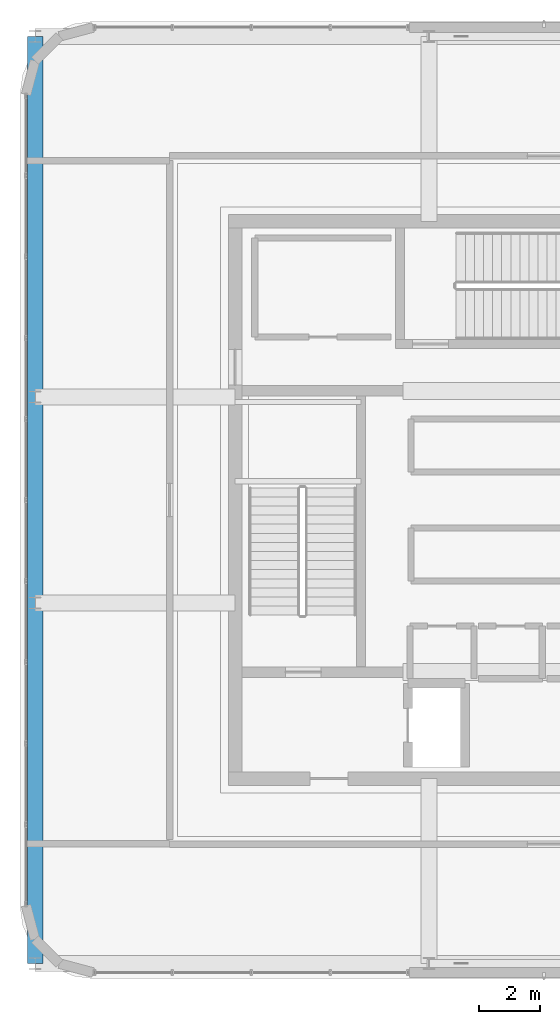
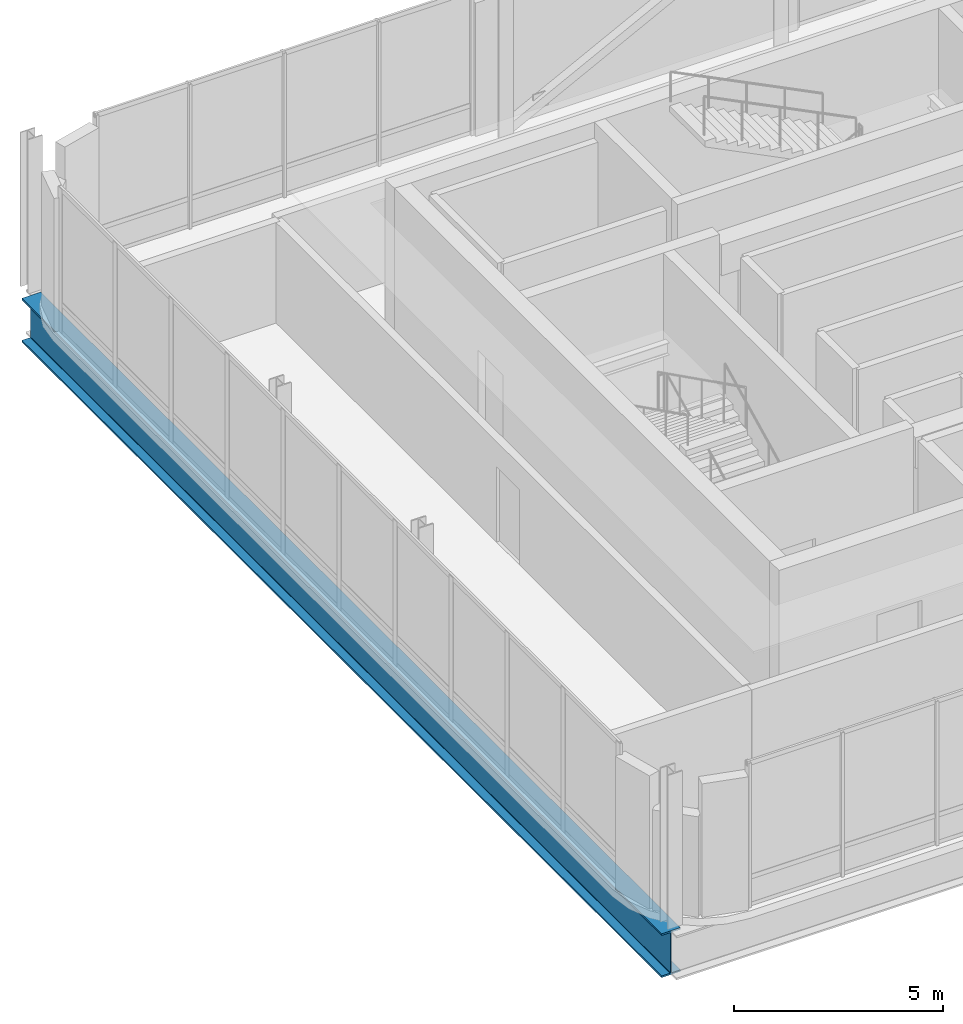
# One storey, part 4 of 25: 1 beam.
"""IFC4 building model written with IfcOpenShell, lengths in metres."""

from ifc_helpers import new_model, si_unit, direction, frame, origin, origin_2d, place, context, subcontext, project, spatial, i_section, extrude, material, material_profile, profile_set, type_object, element, save


model = new_model("IFC4")

# Units and contexts
model_context = context("Model", 3, precision=1e-05, world=origin(), true_north=direction((0.0, 1.0)))
body_context = subcontext(model_context, "Body", "Model", "MODEL_VIEW")
ifc_project = project(units=[si_unit("LENGTHUNIT", "METRE"), si_unit("AREAUNIT", "SQUARE_METRE"), si_unit("VOLUMEUNIT", "CUBIC_METRE"), si_unit("PLANEANGLEUNIT", "RADIAN"), si_unit("MASSUNIT", "GRAM", prefix="KILO")], contexts=[model_context])

# Site, building, storey
site_placement = place(None, origin())
site = spatial("IfcSite", under=ifc_project, at=site_placement, CompositionType="ELEMENT")
building_placement = place(site_placement, origin())
building = spatial("IfcBuilding", under=site, at=building_placement, Name="Punatoya Terracotta Tower", CompositionType="ELEMENT")
storey_placement = place(building_placement, frame((0.0, 0.0, 357.300048828125)))
storey = spatial("IfcBuildingStorey", under=building, at=storey_placement, Name="L84", CompositionType="ELEMENT", Elevation=357.300048828125)

# Beam
ifc_material = material(Name="Steel S460", Category="steel")
ifc_material_profile = material_profile(ifc_material, i_section(OverallWidth=0.52001953125, OverallDepth=1.280029296875, WebThickness=0.031982421875, FlangeThickness=0.050048828125, FilletRadius=0.01806640625, at=origin_2d()))
ifc_profile_set = profile_set([ifc_material_profile], Name="Steel S460")
beam_type = type_object("IfcBeamType", Name="BM-TG-NCK", PredefinedType="BEAM", material=ifc_profile_set)
beam_placement = place(storey_placement, frame((-16.800048828125, -15.300048828125, -0.860107421875), z_axis=(0.0, 1.0, 0.0), x_axis=(-1.0, 0.0, 0.0)))
element("IfcBeam", 1, at=beam_placement, inside=storey, type_object=beam_type, Name="BM-L84-RW", PredefinedType="BEAM", context=body_context, shape_type="SweptSolid", body=[
    extrude(i_section(OverallWidth=0.52001953125, OverallDepth=1.280029296875, WebThickness=0.031982421875, FlangeThickness=0.050048828125, FilletRadius=0.01806640625, at=origin_2d()), origin(), (0.0, 0.0, 1.0), 30.60009765625),
])

save(model, "model.ifc")
